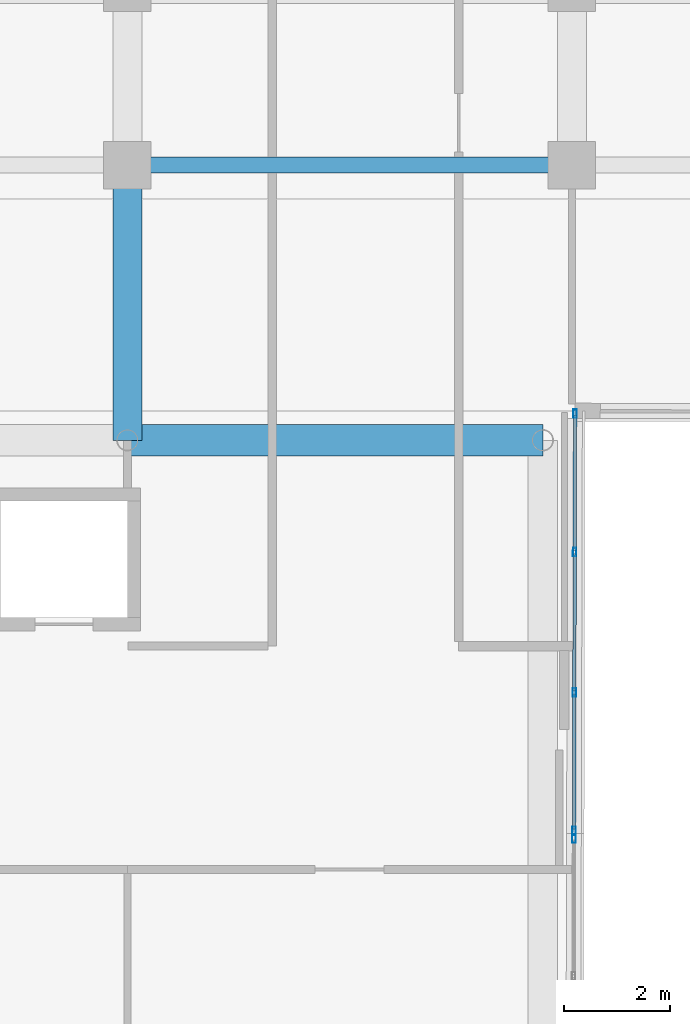
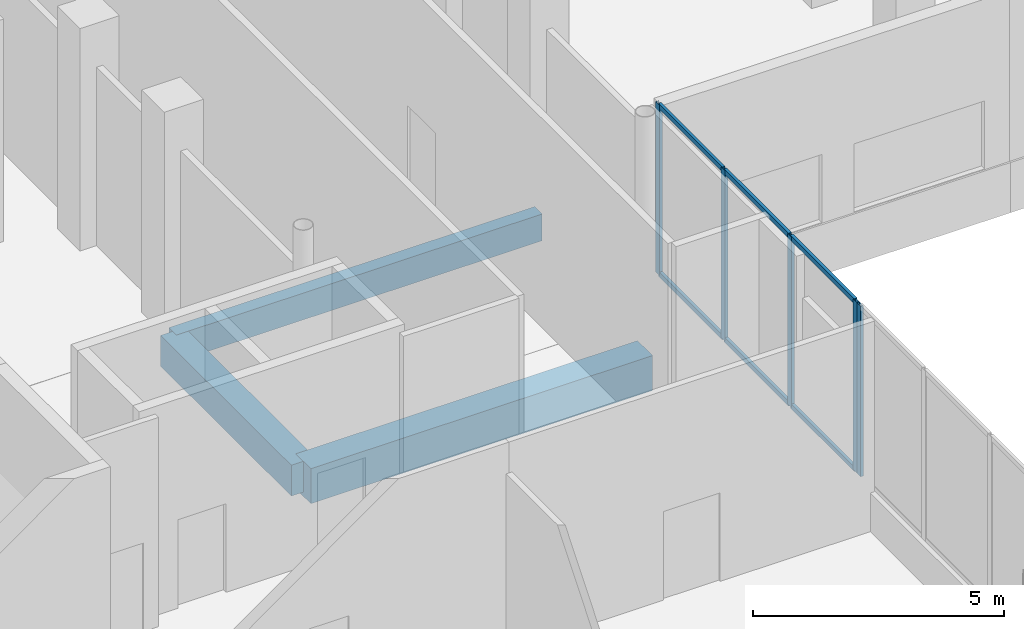
# One storey, part 83 of 158: 11 members, 3 beams, 2 elements without a shape of their own.
"""IFC4 building model written with IfcOpenShell, lengths in metres."""

from ifc_helpers import new_model, si_unit, direction, frame, origin, origin_2d, place, context, subcontext, project, spatial, rectangle, hollow_rectangle, extrude, material, material_profile, profile_set, type_object, element, aggregate, save


model = new_model("IFC4")

# Units and contexts
model_context = context("Model", 3, precision=1e-05, world=origin(), true_north=direction((0.0, 1.0)))
body_context = subcontext(model_context, "Body", "Model", "MODEL_VIEW")
ifc_project = project(units=[si_unit("LENGTHUNIT", "METRE"), si_unit("AREAUNIT", "SQUARE_METRE"), si_unit("VOLUMEUNIT", "CUBIC_METRE"), si_unit("PLANEANGLEUNIT", "RADIAN"), si_unit("MASSUNIT", "GRAM", prefix="KILO")], contexts=[model_context])

# Site, building, storey
site_placement = place(None, origin())
site = spatial("IfcSite", under=ifc_project, at=site_placement, CompositionType="ELEMENT")
building_placement = place(site_placement, origin())
building = spatial("IfcBuilding", under=site, at=building_placement, Name="Selatvlak General Hospital", CompositionType="ELEMENT")
storey_placement = place(building_placement, origin())
storey = spatial("IfcBuildingStorey", under=building, at=storey_placement, Name="L00", CompositionType="ELEMENT", Elevation=0.0)

# Beams
ifc_material_1 = material(Name="Concrete C40/50", Category="concrete")
ifc_material_profile_1 = material_profile(ifc_material_1, rectangle(XDim=0.60009765625, YDim=0.85009765625, at=origin_2d()), Name="RC-BM 600x850")
ifc_profile_set_1 = profile_set([ifc_material_profile_1], Name="Concrete C40/50")
beam_type_1 = type_object("IfcBeamType", Name="BM-G01", PredefinedType="BEAM", material=ifc_profile_set_1)
beam_1_placement = place(storey_placement, frame((73.199951171875, 83.449951171875, -0.77490234375), z_axis=(1.0, 0.0, 0.0), x_axis=(0.0, 1.0, 0.0)))
element("IfcBeam", 1, at=beam_1_placement, inside=storey, type_object=beam_type_1, Name="Beam BMR-L00-0049", PredefinedType="BEAM", context=body_context, shape_type="SweptSolid", body=[
    extrude(rectangle(XDim=0.60009765625, YDim=0.85009765625, at=origin_2d()), origin(), (0.0, 0.0, 1.0), 7.85009765625),
])
ifc_material_profile_2 = material_profile(ifc_material_1, rectangle(XDim=0.550048828125, YDim=0.75, at=origin_2d()), Name="RC-BM 550x750")
ifc_profile_set_2 = profile_set([ifc_material_profile_2], Name="Concrete C40/50")
beam_type_2 = type_object("IfcBeamType", Name="BM-G02", PredefinedType="BEAM", material=ifc_profile_set_2)
beam_2_placement = place(storey_placement, frame((73.199951171875, 83.449951171875, -0.72509765625), z_axis=(0.0, 1.0, 0.0), x_axis=(-1.0, 0.0, 0.0)))
element("IfcBeam", 2, at=beam_2_placement, inside=storey, type_object=beam_type_2, Name="Beam BMR-L00-0207", PredefinedType="BEAM", context=body_context, shape_type="SweptSolid", body=[
    extrude(rectangle(XDim=0.550048828125, YDim=0.75, at=origin_2d()), origin(), (0.0, 0.0, 1.0), 5.199951171875),
])
ifc_material_profile_3 = material_profile(ifc_material_1, rectangle(XDim=0.300048828125, YDim=0.64990234375, at=origin_2d()), Name="RC-SP 300x650")
ifc_profile_set_3 = profile_set([ifc_material_profile_3], Name="Concrete C40/50")
beam_type_3 = type_object("IfcBeamType", Name="BM-SP1", PredefinedType="SPANDREL", material=ifc_profile_set_3)
beam_3_placement = place(storey_placement, frame((73.199951171875, 88.64990234375, -0.675048828125), z_axis=(1.0, 0.0, 0.0), x_axis=(0.0, 1.0, 0.0)))
element("IfcBeam", 3, at=beam_3_placement, inside=storey, type_object=beam_type_3, Name="Beam BMR-L00-0059", PredefinedType="SPANDREL", context=body_context, shape_type="SweptSolid", body=[
    extrude(rectangle(XDim=0.300048828125, YDim=0.64990234375, at=origin_2d()), origin(), (0.0, 0.0, 1.0), 8.400146484375),
])

# Curtain wall, members
ifc_material_2 = material(Name="Solar-control Low-E double glazing", Category="glass")
curtain_wall_type_1 = type_object("IfcCurtainWallType", Name="CW-CW-02", PredefinedType="USERDEFINED", material=ifc_material_2)
curtain_wall_1_placement = place(storey_placement, origin())
curtain_wall_1 = element("IfcCurtainWall", 4, at=curtain_wall_1_placement, inside=storey, type_object=curtain_wall_type_1, Name="Glazed facade curtain wall CW-L00-0105", ObjectType="UNITISED CURTAIN WALL", PredefinedType="USERDEFINED")
ifc_material_3 = material(Name="Dark anodised aluminium mullion", Category="aluminium")
ifc_material_profile_4 = material_profile(ifc_material_3, hollow_rectangle(XDim=0.06494140625, YDim=0.159912109375, WallThickness=0.00390625, at=origin_2d()), Name="AL-MUL 65x160x4")
ifc_profile_set_4 = profile_set([ifc_material_profile_4], Name="Dark anodised aluminium mullion")
member_type_1 = type_object("IfcMemberType", Name="CWM-01", PredefinedType="MULLION", material=ifc_profile_set_4)
member_1_placement = place(storey_placement, frame((81.659912109375, 83.952392578125, 0.93994140625), z_axis=(0.0, 0.0, 1.0), x_axis=(0.999996835583, -0.002515715314, 0.0)))
member_1 = element("IfcMember", 5, at=member_1_placement, type_object=member_type_1, Name="CW-02 mullion 1", PredefinedType="MULLION", context=body_context, shape_type="SweptSolid", body=[
    extrude(hollow_rectangle(XDim=0.06494140625, YDim=0.159912109375, WallThickness=0.00390625, at=origin_2d()), origin(), (0.0, 0.0, 1.0), 4.14013671875),
])
member_2_placement = place(storey_placement, frame((81.6533203125, 81.3349609375, 0.93994140625), z_axis=(0.0, 0.0, 1.0), x_axis=(0.999996835583, -0.002515715314, 0.0)))
member_2 = element("IfcMember", 6, at=member_2_placement, type_object=member_type_1, Name="CW-02 mullion 2", PredefinedType="MULLION", context=body_context, shape_type="SweptSolid", body=[
    extrude(hollow_rectangle(XDim=0.06494140625, YDim=0.159912109375, WallThickness=0.00390625, at=origin_2d()), origin(), (0.0, 0.0, 1.0), 4.14013671875),
])
member_3_placement = place(storey_placement, frame((81.646728515625, 78.68505859375, 0.93994140625), z_axis=(0.0, 0.0, 1.0), x_axis=(0.999996835583, -0.002515715314, 0.0)))
member_3 = element("IfcMember", 7, at=member_3_placement, type_object=member_type_1, Name="CW-02 mullion 3", PredefinedType="MULLION", context=body_context, shape_type="SweptSolid", body=[
    extrude(hollow_rectangle(XDim=0.06494140625, YDim=0.159912109375, WallThickness=0.00390625, at=origin_2d()), origin(), (0.0, 0.0, 1.0), 4.14013671875),
])
member_4_placement = place(storey_placement, frame((81.64013671875, 76.0673828125, 0.93994140625), z_axis=(0.0, 0.0, 1.0), x_axis=(0.999996835583, -0.002515715314, 0.0)))
member_4 = element("IfcMember", 8, at=member_4_placement, type_object=member_type_1, Name="CW-02 mullion 4", PredefinedType="MULLION", context=body_context, shape_type="SweptSolid", body=[
    extrude(hollow_rectangle(XDim=0.06494140625, YDim=0.159912109375, WallThickness=0.00390625, at=origin_2d()), origin(), (0.0, 0.0, 1.0), 4.14013671875),
])

# Curtain wall, member
curtain_wall_type_2 = type_object("IfcCurtainWallType", Name="CW-CW-01", PredefinedType="USERDEFINED", material=ifc_material_2)
curtain_wall_2_placement = place(storey_placement, origin())
curtain_wall_2 = element("IfcCurtainWall", 9, at=curtain_wall_2_placement, inside=storey, type_object=curtain_wall_type_2, Name="Glazed facade curtain wall CW-L00-0106", ObjectType="UNITISED CURTAIN WALL", PredefinedType="USERDEFINED")
member_5_placement = place(storey_placement, frame((81.639892578125, 75.922607421875, 0.93994140625), z_axis=(0.0, 0.0, 1.0), x_axis=(0.999996795401, -0.002531637448, 0.0)))
member_5 = element("IfcMember", 10, at=member_5_placement, type_object=member_type_1, Name="CW-01 mullion 1", PredefinedType="MULLION", context=body_context, shape_type="SweptSolid", body=[
    extrude(hollow_rectangle(XDim=0.06494140625, YDim=0.159912109375, WallThickness=0.00390625, at=origin_2d()), origin(), (0.0, 0.0, 1.0), 4.14013671875),
])
aggregate(curtain_wall_2, [member_5])

# Member
ifc_material_profile_5 = material_profile(ifc_material_3, hollow_rectangle(XDim=0.06494140625, YDim=0.1201171875, WallThickness=0.00390625, at=origin_2d()), Name="AL-TRN 65x120x4")
ifc_profile_set_5 = profile_set([ifc_material_profile_5], Name="Dark anodised aluminium mullion")
member_type_2 = type_object("IfcMemberType", Name="CWT-01", PredefinedType="USERDEFINED", material=ifc_profile_set_5)
member_6_placement = place(storey_placement, frame((81.659912109375, 83.919921875, 0.972412109375), z_axis=(-0.002582487802, -0.999996665373, 0.0), x_axis=(0.999996665373, -0.002582487802, 0.0)))
member_6 = element("IfcMember", 11, at=member_6_placement, type_object=member_type_2, Name="CW-02 transom 1.1", ObjectType="TRANSOM", PredefinedType="USERDEFINED", context=body_context, shape_type="SweptSolid", body=[
    extrude(hollow_rectangle(XDim=0.06494140625, YDim=0.1201171875, WallThickness=0.00390625, at=origin_2d()), origin(), (0.0, 0.0, 1.0), 2.552490234375),
])

member_7_placement = place(storey_placement, frame((81.659912109375, 83.919921875, 5.047607421875), z_axis=(-0.002582487802, -0.999996665373, 0.0), x_axis=(0.999996665373, -0.002582487802, 0.0)))
member_7 = element("IfcMember", 12, at=member_7_placement, type_object=member_type_2, Name="CW-02 transom 1.2", ObjectType="TRANSOM", PredefinedType="USERDEFINED", context=body_context, shape_type="SweptSolid", body=[
    extrude(hollow_rectangle(XDim=0.06494140625, YDim=0.1201171875, WallThickness=0.00390625, at=origin_2d()), origin(), (0.0, 0.0, 1.0), 2.552490234375),
])

member_8_placement = place(storey_placement, frame((81.6533203125, 81.302490234375, 0.972412109375), z_axis=(-0.002550048377, -0.999996748621, 0.0), x_axis=(0.999996748621, -0.002550048377, 0.0)))
member_8 = element("IfcMember", 13, at=member_8_placement, type_object=member_type_2, Name="CW-02 transom 2.1", ObjectType="TRANSOM", PredefinedType="USERDEFINED", context=body_context, shape_type="SweptSolid", body=[
    extrude(hollow_rectangle(XDim=0.06494140625, YDim=0.1201171875, WallThickness=0.00390625, at=origin_2d()), origin(), (0.0, 0.0, 1.0), 2.5849609375),
])

member_9_placement = place(storey_placement, frame((81.6533203125, 81.302490234375, 5.047607421875), z_axis=(-0.002550048377, -0.999996748621, 0.0), x_axis=(0.999996748621, -0.002550048377, 0.0)))
member_9 = element("IfcMember", 14, at=member_9_placement, type_object=member_type_2, Name="CW-02 transom 2.2", ObjectType="TRANSOM", PredefinedType="USERDEFINED", context=body_context, shape_type="SweptSolid", body=[
    extrude(hollow_rectangle(XDim=0.06494140625, YDim=0.1201171875, WallThickness=0.00390625, at=origin_2d()), origin(), (0.0, 0.0, 1.0), 2.5849609375),
])

member_10_placement = place(storey_placement, frame((81.646484375, 78.652587890625, 0.972412109375), z_axis=(-0.002486840708, -0.999996907807, 0.0), x_axis=(0.999996907807, -0.002486840708, 0.0)))
member_10 = element("IfcMember", 15, at=member_10_placement, type_object=member_type_2, Name="CW-02 transom 3.1", ObjectType="TRANSOM", PredefinedType="USERDEFINED", context=body_context, shape_type="SweptSolid", body=[
    extrude(hollow_rectangle(XDim=0.06494140625, YDim=0.1201171875, WallThickness=0.00390625, at=origin_2d()), origin(), (0.0, 0.0, 1.0), 2.552490234375),
])

member_11_placement = place(storey_placement, frame((81.646484375, 78.652587890625, 5.047607421875), z_axis=(-0.002486840708, -0.999996907807, 0.0), x_axis=(0.999996907807, -0.002486840708, 0.0)))
member_11 = element("IfcMember", 16, at=member_11_placement, type_object=member_type_2, Name="CW-02 transom 3.2", ObjectType="TRANSOM", PredefinedType="USERDEFINED", context=body_context, shape_type="SweptSolid", body=[
    extrude(hollow_rectangle(XDim=0.06494140625, YDim=0.1201171875, WallThickness=0.00390625, at=origin_2d()), origin(), (0.0, 0.0, 1.0), 2.552490234375),
])

aggregate(curtain_wall_1, [member_1, member_2, member_3, member_4, member_6, member_7, member_8, member_9, member_10, member_11])

save(model, "model.ifc")
